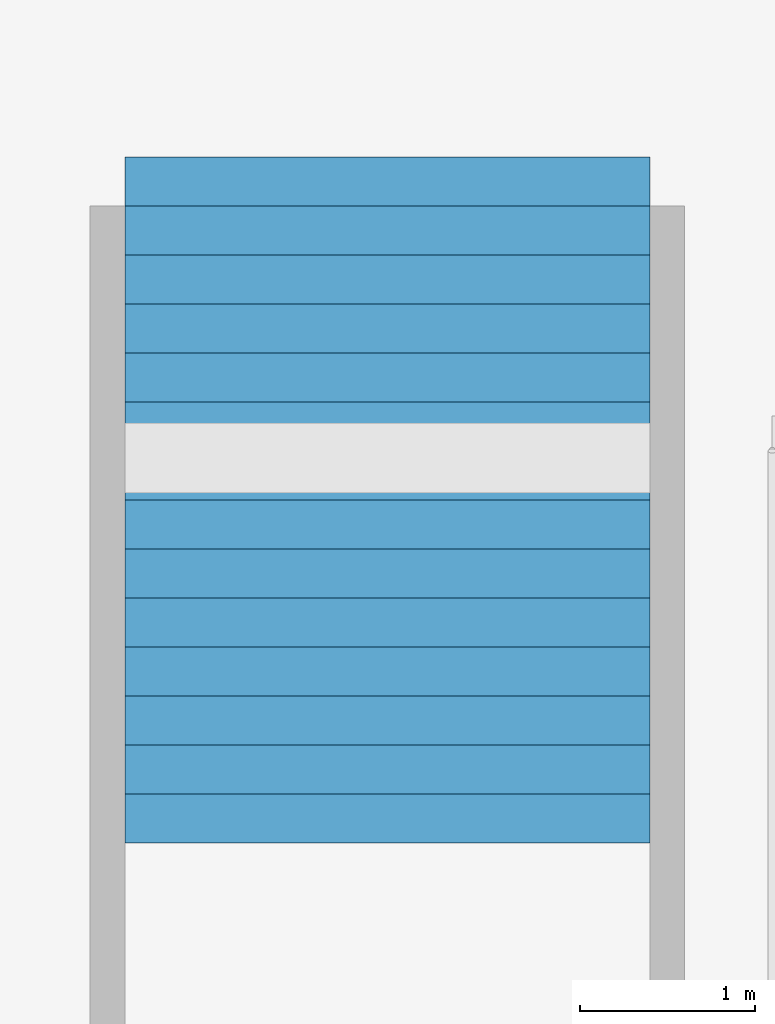
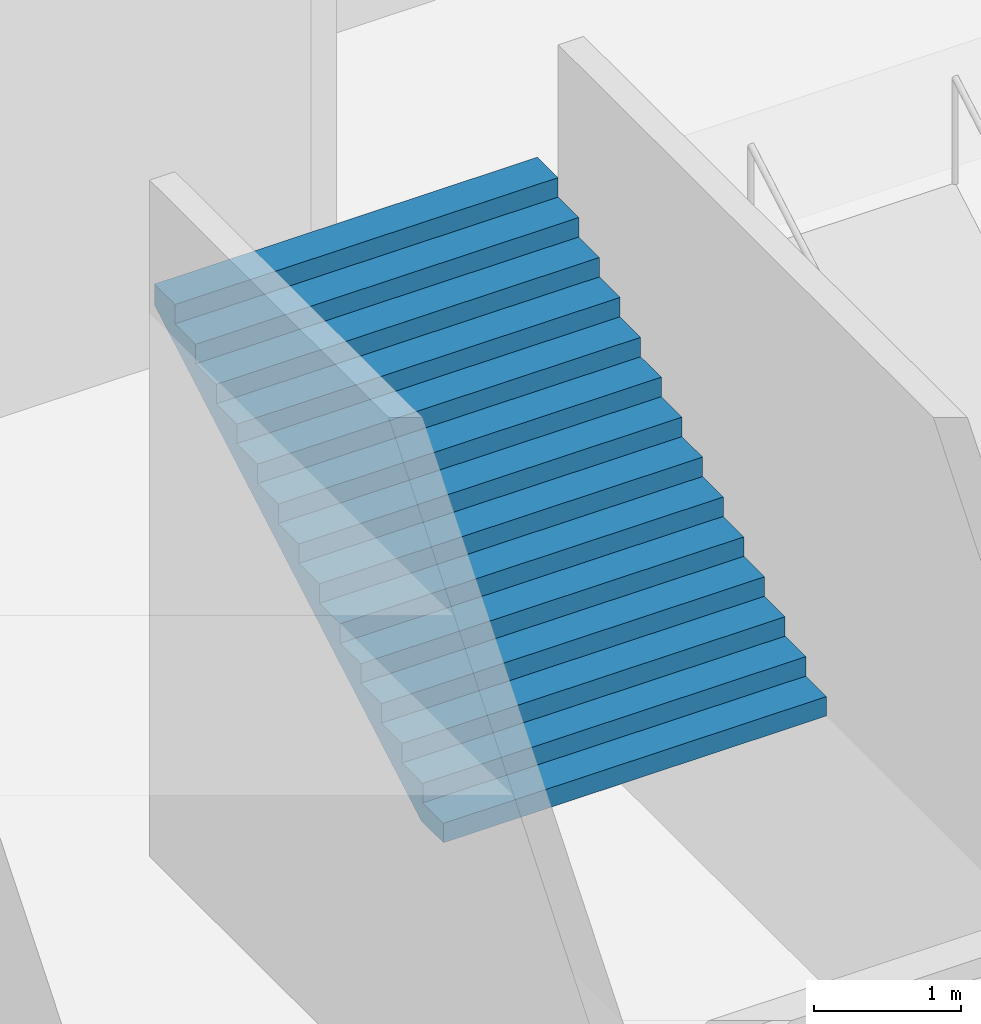
# One storey, part 87 of 115: 1 stair flight, 1 element without a shape of its own.
"""IFC4 building model written with IfcOpenShell, lengths in metres."""

from ifc_helpers import new_model, si_unit, direction, frame, origin, place, context, subcontext, project, spatial, faceted_brep, material, type_object, element, aggregate, save


model = new_model("IFC4")

# Units and contexts
model_context = context("Model", 3, precision=1e-05, world=origin(), true_north=direction((0.0, 1.0)))
body_context = subcontext(model_context, "Body", "Model", "MODEL_VIEW")
ifc_project = project(units=[si_unit("LENGTHUNIT", "METRE"), si_unit("AREAUNIT", "SQUARE_METRE"), si_unit("VOLUMEUNIT", "CUBIC_METRE"), si_unit("PLANEANGLEUNIT", "RADIAN"), si_unit("MASSUNIT", "GRAM", prefix="KILO")], contexts=[model_context])

# Site, building, storey
site_placement = place(None, origin())
site = spatial("IfcSite", under=ifc_project, at=site_placement, CompositionType="ELEMENT")
building_placement = place(site_placement, origin())
building = spatial("IfcBuilding", under=site, at=building_placement, Name="Ogive Plaza Stadium", CompositionType="ELEMENT")
storey_placement = place(building_placement, frame((0.0, 0.0, -4.5)))
storey = spatial("IfcBuildingStorey", under=building, at=storey_placement, Name="B1", CompositionType="ELEMENT", Elevation=-4.5)

# Stair, stair flight
ifc_material_1 = material(Name="Concrete C40/50", Category="concrete")
stair_type = type_object("IfcStairType", Name="Station stair 3000", PredefinedType="TWO_STRAIGHT_RUN_STAIR", material=ifc_material_1)
stair_placement = place(storey_placement, origin())
stair = element("IfcStair", 1, at=stair_placement, inside=storey, type_object=stair_type, Name="Stair QS3", PredefinedType="TWO_STRAIGHT_RUN_STAIR")
ifc_material_2 = material(Name="Concrete C40/50", Category="concrete")
stair_flight_type = type_object("IfcStairFlightType", Name="Station stair flight 3000", PredefinedType="STRAIGHT", material=ifc_material_2)
stair_flight_placement = place(storey_placement, frame((100.699951171875, 13.360107421875, 2.25), z_axis=(0.0, 0.0, 1.0), x_axis=(0.0, 1.0, 0.0)))
stair_flight = element("IfcStairFlight", 2, at=stair_flight_placement, type_object=stair_flight_type, Name="QS3 flight 2", NumberOfRisers=14, NumberOfTreads=13, PredefinedType="STRAIGHT", RiserHeight=0.160714286, TreadLength=0.28, context=body_context, shape_type="Brep", body=[
    faceted_brep([(0.301025390625, -1.5, 0.0), (3.919921875, -1.5, 2.0771484375), (3.919921875, -1.5, 2.25), (3.639892578125, -1.5, 2.25), (3.639892578125, -1.5, 2.08935546875), (3.360107421875, -1.5, 2.08935546875), (3.360107421875, -1.5, 1.928466796875), (3.080078125, -1.5, 1.928466796875), (3.080078125, -1.5, 1.767822265625), (2.800048828125, -1.5, 1.767822265625), (2.800048828125, -1.5, 1.607177734375), (2.52001953125, -1.5, 1.607177734375), (2.52001953125, -1.5, 1.446533203125), (2.239990234375, -1.5, 1.446533203125), (2.239990234375, -1.5, 1.28564453125), (1.9599609375, -1.5, 1.28564453125), (1.9599609375, -1.5, 1.125), (1.679931640625, -1.5, 1.125), (1.679931640625, -1.5, 0.96435546875), (1.39990234375, -1.5, 0.96435546875), (1.39990234375, -1.5, 0.803466796875), (1.1201171875, -1.5, 0.803466796875), (1.1201171875, -1.5, 0.642822265625), (0.840087890625, -1.5, 0.642822265625), (0.840087890625, -1.5, 0.482177734375), (0.56005859375, -1.5, 0.482177734375), (0.56005859375, -1.5, 0.321533203125), (0.280029296875, -1.5, 0.321533203125), (0.280029296875, -1.5, 0.16064453125), (0.0, -1.5, 0.16064453125), (0.0, -1.5, 0.0), (0.0, 1.5, 0.0), (0.0, 1.5, 0.16064453125), (0.280029296875, 1.5, 0.16064453125), (0.280029296875, 1.5, 0.321533203125), (0.56005859375, 1.5, 0.321533203125), (0.56005859375, 1.5, 0.482177734375), (0.840087890625, 1.5, 0.482177734375), (0.840087890625, 1.5, 0.642822265625), (1.1201171875, 1.5, 0.642822265625), (1.1201171875, 1.5, 0.803466796875), (1.39990234375, 1.5, 0.803466796875), (1.39990234375, 1.5, 0.96435546875), (1.679931640625, 1.5, 0.96435546875), (1.679931640625, 1.5, 1.125), (1.9599609375, 1.5, 1.125), (1.9599609375, 1.5, 1.28564453125), (2.239990234375, 1.5, 1.28564453125), (2.239990234375, 1.5, 1.446533203125), (2.52001953125, 1.5, 1.446533203125), (2.52001953125, 1.5, 1.607177734375), (2.800048828125, 1.5, 1.607177734375), (2.800048828125, 1.5, 1.767822265625), (3.080078125, 1.5, 1.767822265625), (3.080078125, 1.5, 1.928466796875), (3.360107421875, 1.5, 1.928466796875), (3.360107421875, 1.5, 2.08935546875), (3.639892578125, 1.5, 2.08935546875), (3.639892578125, 1.5, 2.25), (3.919921875, 1.5, 2.25), (3.919921875, 1.5, 2.0771484375), (0.301025390625, 1.5, 0.0), (0.301025390625, -1.166748046875, 0.0), (3.919921875, -1.166748046875, 2.0771484375), (0.301025390625, -0.833251953125, 0.0), (3.919921875, -0.833251953125, 2.0771484375), (0.301025390625, -0.5, 0.0), (3.919921875, -0.5, 2.0771484375), (0.301025390625, -0.166748046875, 0.0), (3.919921875, -0.166748046875, 2.0771484375), (0.301025390625, 0.166748046875, 0.0), (3.919921875, 0.166748046875, 2.0771484375), (0.301025390625, 0.5, 0.0), (3.919921875, 0.5, 2.0771484375), (0.301025390625, 0.833251953125, 0.0), (3.919921875, 0.833251953125, 2.0771484375), (0.301025390625, 1.166748046875, 0.0), (3.919921875, 1.166748046875, 2.0771484375), (3.919921875, -1.166748046875, 2.25), (3.919921875, -0.833251953125, 2.25), (3.919921875, -0.5, 2.25), (3.919921875, -0.166748046875, 2.25), (3.919921875, 0.166748046875, 2.25), (3.919921875, 0.5, 2.25), (3.919921875, 0.833251953125, 2.25), (3.919921875, 1.166748046875, 2.25), (3.639892578125, -1.166748046875, 2.25), (3.639892578125, -0.833251953125, 2.25), (3.639892578125, -0.5, 2.25), (3.639892578125, -0.166748046875, 2.25), (3.639892578125, 0.166748046875, 2.25), (3.639892578125, 0.5, 2.25), (3.639892578125, 0.833251953125, 2.25), (3.639892578125, 1.166748046875, 2.25), (3.639892578125, -1.166748046875, 2.08935546875), (3.639892578125, -0.833251953125, 2.08935546875), (3.639892578125, -0.5, 2.08935546875), (3.639892578125, -0.166748046875, 2.08935546875), (3.639892578125, 0.166748046875, 2.08935546875), (3.639892578125, 0.5, 2.08935546875), (3.639892578125, 0.833251953125, 2.08935546875), (3.639892578125, 1.166748046875, 2.08935546875), (3.360107421875, -1.166748046875, 2.08935546875), (3.360107421875, -0.833251953125, 2.08935546875), (3.360107421875, -0.5, 2.08935546875), (3.360107421875, -0.166748046875, 2.08935546875), (3.360107421875, 0.166748046875, 2.08935546875), (3.360107421875, 0.5, 2.08935546875), (3.360107421875, 0.833251953125, 2.08935546875), (3.360107421875, 1.166748046875, 2.08935546875), (3.360107421875, -1.166748046875, 1.928466796875), (3.360107421875, -0.833251953125, 1.928466796875), (3.360107421875, -0.5, 1.928466796875), (3.360107421875, -0.166748046875, 1.928466796875), (3.360107421875, 0.166748046875, 1.928466796875), (3.360107421875, 0.5, 1.928466796875), (3.360107421875, 0.833251953125, 1.928466796875), (3.360107421875, 1.166748046875, 1.928466796875), (3.080078125, -1.166748046875, 1.928466796875), (3.080078125, -0.833251953125, 1.928466796875), (3.080078125, -0.5, 1.928466796875), (3.080078125, -0.166748046875, 1.928466796875), (3.080078125, 0.166748046875, 1.928466796875), (3.080078125, 0.5, 1.928466796875), (3.080078125, 0.833251953125, 1.928466796875), (3.080078125, 1.166748046875, 1.928466796875), (3.080078125, -1.166748046875, 1.767822265625), (3.080078125, -0.833251953125, 1.767822265625), (3.080078125, -0.5, 1.767822265625), (3.080078125, -0.166748046875, 1.767822265625), (3.080078125, 0.166748046875, 1.767822265625), (3.080078125, 0.5, 1.767822265625), (3.080078125, 0.833251953125, 1.767822265625), (3.080078125, 1.166748046875, 1.767822265625), (2.800048828125, -1.166748046875, 1.767822265625), (2.800048828125, -0.833251953125, 1.767822265625), (2.800048828125, -0.5, 1.767822265625), (2.800048828125, -0.166748046875, 1.767822265625), (2.800048828125, 0.166748046875, 1.767822265625), (2.800048828125, 0.5, 1.767822265625), (2.800048828125, 0.833251953125, 1.767822265625), (2.800048828125, 1.166748046875, 1.767822265625), (2.800048828125, -1.166748046875, 1.607177734375), (2.800048828125, -0.833251953125, 1.607177734375), (2.800048828125, -0.5, 1.607177734375), (2.800048828125, -0.166748046875, 1.607177734375), (2.800048828125, 0.166748046875, 1.607177734375), (2.800048828125, 0.5, 1.607177734375), (2.800048828125, 0.833251953125, 1.607177734375), (2.800048828125, 1.166748046875, 1.607177734375), (2.52001953125, -1.166748046875, 1.607177734375), (2.52001953125, -0.833251953125, 1.607177734375), (2.52001953125, -0.5, 1.607177734375), (2.52001953125, -0.166748046875, 1.607177734375), (2.52001953125, 0.166748046875, 1.607177734375), (2.52001953125, 0.5, 1.607177734375), (2.52001953125, 0.833251953125, 1.607177734375), (2.52001953125, 1.166748046875, 1.607177734375), (2.52001953125, -1.166748046875, 1.446533203125), (2.52001953125, -0.833251953125, 1.446533203125), (2.52001953125, -0.5, 1.446533203125), (2.52001953125, -0.166748046875, 1.446533203125), (2.52001953125, 0.166748046875, 1.446533203125), (2.52001953125, 0.5, 1.446533203125), (2.52001953125, 0.833251953125, 1.446533203125), (2.52001953125, 1.166748046875, 1.446533203125), (2.239990234375, -1.166748046875, 1.446533203125), (2.239990234375, -0.833251953125, 1.446533203125), (2.239990234375, -0.5, 1.446533203125), (2.239990234375, -0.166748046875, 1.446533203125), (2.239990234375, 0.166748046875, 1.446533203125), (2.239990234375, 0.5, 1.446533203125), (2.239990234375, 0.833251953125, 1.446533203125), (2.239990234375, 1.166748046875, 1.446533203125), (2.239990234375, -1.166748046875, 1.28564453125), (2.239990234375, -0.833251953125, 1.28564453125), (2.239990234375, -0.5, 1.28564453125), (2.239990234375, -0.166748046875, 1.28564453125), (2.239990234375, 0.166748046875, 1.28564453125), (2.239990234375, 0.5, 1.28564453125), (2.239990234375, 0.833251953125, 1.28564453125), (2.239990234375, 1.166748046875, 1.28564453125), (1.9599609375, -1.166748046875, 1.28564453125), (1.9599609375, -0.833251953125, 1.28564453125), (1.9599609375, -0.5, 1.28564453125), (1.9599609375, -0.166748046875, 1.28564453125), (1.9599609375, 0.166748046875, 1.28564453125), (1.9599609375, 0.5, 1.28564453125), (1.9599609375, 0.833251953125, 1.28564453125), (1.9599609375, 1.166748046875, 1.28564453125), (1.9599609375, -1.166748046875, 1.125), (1.9599609375, -0.833251953125, 1.125), (1.9599609375, -0.5, 1.125), (1.9599609375, -0.166748046875, 1.125), (1.9599609375, 0.166748046875, 1.125), (1.9599609375, 0.5, 1.125), (1.9599609375, 0.833251953125, 1.125), (1.9599609375, 1.166748046875, 1.125), (1.679931640625, -1.166748046875, 1.125), (1.679931640625, -0.833251953125, 1.125), (1.679931640625, -0.5, 1.125), (1.679931640625, -0.166748046875, 1.125), (1.679931640625, 0.166748046875, 1.125), (1.679931640625, 0.5, 1.125), (1.679931640625, 0.833251953125, 1.125), (1.679931640625, 1.166748046875, 1.125), (1.679931640625, -1.166748046875, 0.96435546875), (1.679931640625, -0.833251953125, 0.96435546875), (1.679931640625, -0.5, 0.96435546875), (1.679931640625, -0.166748046875, 0.96435546875), (1.679931640625, 0.166748046875, 0.96435546875), (1.679931640625, 0.5, 0.96435546875), (1.679931640625, 0.833251953125, 0.96435546875), (1.679931640625, 1.166748046875, 0.96435546875), (1.39990234375, -1.166748046875, 0.96435546875), (1.39990234375, -0.833251953125, 0.96435546875), (1.39990234375, -0.5, 0.96435546875), (1.39990234375, -0.166748046875, 0.96435546875), (1.39990234375, 0.166748046875, 0.96435546875), (1.39990234375, 0.5, 0.96435546875), (1.39990234375, 0.833251953125, 0.96435546875), (1.39990234375, 1.166748046875, 0.96435546875), (1.39990234375, -1.166748046875, 0.803466796875), (1.39990234375, -0.833251953125, 0.803466796875), (1.39990234375, -0.5, 0.803466796875), (1.39990234375, -0.166748046875, 0.803466796875), (1.39990234375, 0.166748046875, 0.803466796875), (1.39990234375, 0.5, 0.803466796875), (1.39990234375, 0.833251953125, 0.803466796875), (1.39990234375, 1.166748046875, 0.803466796875), (1.1201171875, -1.166748046875, 0.803466796875), (1.1201171875, -0.833251953125, 0.803466796875), (1.1201171875, -0.5, 0.803466796875), (1.1201171875, -0.166748046875, 0.803466796875), (1.1201171875, 0.166748046875, 0.803466796875), (1.1201171875, 0.5, 0.803466796875), (1.1201171875, 0.833251953125, 0.803466796875), (1.1201171875, 1.166748046875, 0.803466796875), (1.1201171875, -1.166748046875, 0.642822265625), (1.1201171875, -0.833251953125, 0.642822265625), (1.1201171875, -0.5, 0.642822265625), (1.1201171875, -0.166748046875, 0.642822265625), (1.1201171875, 0.166748046875, 0.642822265625), (1.1201171875, 0.5, 0.642822265625), (1.1201171875, 0.833251953125, 0.642822265625), (1.1201171875, 1.166748046875, 0.642822265625), (0.840087890625, -1.166748046875, 0.642822265625), (0.840087890625, -0.833251953125, 0.642822265625), (0.840087890625, -0.5, 0.642822265625), (0.840087890625, -0.166748046875, 0.642822265625), (0.840087890625, 0.166748046875, 0.642822265625), (0.840087890625, 0.5, 0.642822265625), (0.840087890625, 0.833251953125, 0.642822265625), (0.840087890625, 1.166748046875, 0.642822265625), (0.840087890625, -1.166748046875, 0.482177734375), (0.840087890625, -0.833251953125, 0.482177734375), (0.840087890625, -0.5, 0.482177734375), (0.840087890625, -0.166748046875, 0.482177734375), (0.840087890625, 0.166748046875, 0.482177734375), (0.840087890625, 0.5, 0.482177734375), (0.840087890625, 0.833251953125, 0.482177734375), (0.840087890625, 1.166748046875, 0.482177734375), (0.56005859375, -1.166748046875, 0.482177734375), (0.56005859375, -0.833251953125, 0.482177734375), (0.56005859375, -0.5, 0.482177734375), (0.56005859375, -0.166748046875, 0.482177734375), (0.56005859375, 0.166748046875, 0.482177734375), (0.56005859375, 0.5, 0.482177734375), (0.56005859375, 0.833251953125, 0.482177734375), (0.56005859375, 1.166748046875, 0.482177734375), (0.56005859375, -1.166748046875, 0.321533203125), (0.56005859375, -0.833251953125, 0.321533203125), (0.56005859375, -0.5, 0.321533203125), (0.56005859375, -0.166748046875, 0.321533203125), (0.56005859375, 0.166748046875, 0.321533203125), (0.56005859375, 0.5, 0.321533203125), (0.56005859375, 0.833251953125, 0.321533203125), (0.56005859375, 1.166748046875, 0.321533203125), (0.280029296875, -1.166748046875, 0.321533203125), (0.280029296875, -0.833251953125, 0.321533203125), (0.280029296875, -0.5, 0.321533203125), (0.280029296875, -0.166748046875, 0.321533203125), (0.280029296875, 0.166748046875, 0.321533203125), (0.280029296875, 0.5, 0.321533203125), (0.280029296875, 0.833251953125, 0.321533203125), (0.280029296875, 1.166748046875, 0.321533203125), (0.280029296875, -1.166748046875, 0.16064453125), (0.280029296875, -0.833251953125, 0.16064453125), (0.280029296875, -0.5, 0.16064453125), (0.280029296875, -0.166748046875, 0.16064453125), (0.280029296875, 0.166748046875, 0.16064453125), (0.280029296875, 0.5, 0.16064453125), (0.280029296875, 0.833251953125, 0.16064453125), (0.280029296875, 1.166748046875, 0.16064453125), (0.0, -1.166748046875, 0.16064453125), (0.0, -0.833251953125, 0.16064453125), (0.0, -0.5, 0.16064453125), (0.0, -0.166748046875, 0.16064453125), (0.0, 0.166748046875, 0.16064453125), (0.0, 0.5, 0.16064453125), (0.0, 0.833251953125, 0.16064453125), (0.0, 1.166748046875, 0.16064453125), (0.0, -1.166748046875, 0.0), (0.0, -0.833251953125, 0.0), (0.0, -0.5, 0.0), (0.0, -0.166748046875, 0.0), (0.0, 0.166748046875, 0.0), (0.0, 0.5, 0.0), (0.0, 0.833251953125, 0.0), (0.0, 1.166748046875, 0.0)], [[[0, 1, 2, 3, 4, 5, 6, 7, 8, 9, 10, 11, 12, 13, 14, 15, 16, 17, 18, 19, 20, 21, 22, 23, 24, 25, 26, 27, 28, 29, 30]], [[31, 32, 33, 34, 35, 36, 37, 38, 39, 40, 41, 42, 43, 44, 45, 46, 47, 48, 49, 50, 51, 52, 53, 54, 55, 56, 57, 58, 59, 60, 61]], [[0, 62, 63, 1]], [[62, 64, 65, 63]], [[64, 66, 67, 65]], [[66, 68, 69, 67]], [[68, 70, 71, 69]], [[70, 72, 73, 71]], [[72, 74, 75, 73]], [[74, 76, 77, 75]], [[76, 61, 60, 77]], [[1, 63, 78, 2]], [[63, 65, 79, 78]], [[65, 67, 80, 79]], [[67, 69, 81, 80]], [[69, 71, 82, 81]], [[71, 73, 83, 82]], [[73, 75, 84, 83]], [[75, 77, 85, 84]], [[77, 60, 59, 85]], [[2, 78, 86, 3]], [[78, 79, 87, 86]], [[79, 80, 88, 87]], [[80, 81, 89, 88]], [[81, 82, 90, 89]], [[82, 83, 91, 90]], [[83, 84, 92, 91]], [[84, 85, 93, 92]], [[85, 59, 58, 93]], [[3, 86, 94, 4]], [[86, 87, 95, 94]], [[87, 88, 96, 95]], [[88, 89, 97, 96]], [[89, 90, 98, 97]], [[90, 91, 99, 98]], [[91, 92, 100, 99]], [[92, 93, 101, 100]], [[93, 58, 57, 101]], [[4, 94, 102, 5]], [[94, 95, 103, 102]], [[95, 96, 104, 103]], [[96, 97, 105, 104]], [[97, 98, 106, 105]], [[98, 99, 107, 106]], [[99, 100, 108, 107]], [[100, 101, 109, 108]], [[101, 57, 56, 109]], [[5, 102, 110, 6]], [[102, 103, 111, 110]], [[103, 104, 112, 111]], [[104, 105, 113, 112]], [[105, 106, 114, 113]], [[106, 107, 115, 114]], [[107, 108, 116, 115]], [[108, 109, 117, 116]], [[109, 56, 55, 117]], [[6, 110, 118, 7]], [[110, 111, 119, 118]], [[111, 112, 120, 119]], [[112, 113, 121, 120]], [[113, 114, 122, 121]], [[114, 115, 123, 122]], [[115, 116, 124, 123]], [[116, 117, 125, 124]], [[117, 55, 54, 125]], [[7, 118, 126, 8]], [[118, 119, 127, 126]], [[119, 120, 128, 127]], [[120, 121, 129, 128]], [[121, 122, 130, 129]], [[122, 123, 131, 130]], [[123, 124, 132, 131]], [[124, 125, 133, 132]], [[125, 54, 53, 133]], [[8, 126, 134, 9]], [[126, 127, 135, 134]], [[127, 128, 136, 135]], [[128, 129, 137, 136]], [[129, 130, 138, 137]], [[130, 131, 139, 138]], [[131, 132, 140, 139]], [[132, 133, 141, 140]], [[133, 53, 52, 141]], [[9, 134, 142, 10]], [[134, 135, 143, 142]], [[135, 136, 144, 143]], [[136, 137, 145, 144]], [[137, 138, 146, 145]], [[138, 139, 147, 146]], [[139, 140, 148, 147]], [[140, 141, 149, 148]], [[141, 52, 51, 149]], [[10, 142, 150, 11]], [[142, 143, 151, 150]], [[143, 144, 152, 151]], [[144, 145, 153, 152]], [[145, 146, 154, 153]], [[146, 147, 155, 154]], [[147, 148, 156, 155]], [[148, 149, 157, 156]], [[149, 51, 50, 157]], [[11, 150, 158, 12]], [[150, 151, 159, 158]], [[151, 152, 160, 159]], [[152, 153, 161, 160]], [[153, 154, 162, 161]], [[154, 155, 163, 162]], [[155, 156, 164, 163]], [[156, 157, 165, 164]], [[157, 50, 49, 165]], [[12, 158, 166, 13]], [[158, 159, 167, 166]], [[159, 160, 168, 167]], [[160, 161, 169, 168]], [[161, 162, 170, 169]], [[162, 163, 171, 170]], [[163, 164, 172, 171]], [[164, 165, 173, 172]], [[165, 49, 48, 173]], [[13, 166, 174, 14]], [[166, 167, 175, 174]], [[167, 168, 176, 175]], [[168, 169, 177, 176]], [[169, 170, 178, 177]], [[170, 171, 179, 178]], [[171, 172, 180, 179]], [[172, 173, 181, 180]], [[173, 48, 47, 181]], [[14, 174, 182, 15]], [[174, 175, 183, 182]], [[175, 176, 184, 183]], [[176, 177, 185, 184]], [[177, 178, 186, 185]], [[178, 179, 187, 186]], [[179, 180, 188, 187]], [[180, 181, 189, 188]], [[181, 47, 46, 189]], [[15, 182, 190, 16]], [[182, 183, 191, 190]], [[183, 184, 192, 191]], [[184, 185, 193, 192]], [[185, 186, 194, 193]], [[186, 187, 195, 194]], [[187, 188, 196, 195]], [[188, 189, 197, 196]], [[189, 46, 45, 197]], [[16, 190, 198, 17]], [[190, 191, 199, 198]], [[191, 192, 200, 199]], [[192, 193, 201, 200]], [[193, 194, 202, 201]], [[194, 195, 203, 202]], [[195, 196, 204, 203]], [[196, 197, 205, 204]], [[197, 45, 44, 205]], [[17, 198, 206, 18]], [[198, 199, 207, 206]], [[199, 200, 208, 207]], [[200, 201, 209, 208]], [[201, 202, 210, 209]], [[202, 203, 211, 210]], [[203, 204, 212, 211]], [[204, 205, 213, 212]], [[205, 44, 43, 213]], [[18, 206, 214, 19]], [[206, 207, 215, 214]], [[207, 208, 216, 215]], [[208, 209, 217, 216]], [[209, 210, 218, 217]], [[210, 211, 219, 218]], [[211, 212, 220, 219]], [[212, 213, 221, 220]], [[213, 43, 42, 221]], [[19, 214, 222, 20]], [[214, 215, 223, 222]], [[215, 216, 224, 223]], [[216, 217, 225, 224]], [[217, 218, 226, 225]], [[218, 219, 227, 226]], [[219, 220, 228, 227]], [[220, 221, 229, 228]], [[221, 42, 41, 229]], [[20, 222, 230, 21]], [[222, 223, 231, 230]], [[223, 224, 232, 231]], [[224, 225, 233, 232]], [[225, 226, 234, 233]], [[226, 227, 235, 234]], [[227, 228, 236, 235]], [[228, 229, 237, 236]], [[229, 41, 40, 237]], [[21, 230, 238, 22]], [[230, 231, 239, 238]], [[231, 232, 240, 239]], [[232, 233, 241, 240]], [[233, 234, 242, 241]], [[234, 235, 243, 242]], [[235, 236, 244, 243]], [[236, 237, 245, 244]], [[237, 40, 39, 245]], [[22, 238, 246, 23]], [[238, 239, 247, 246]], [[239, 240, 248, 247]], [[240, 241, 249, 248]], [[241, 242, 250, 249]], [[242, 243, 251, 250]], [[243, 244, 252, 251]], [[244, 245, 253, 252]], [[245, 39, 38, 253]], [[23, 246, 254, 24]], [[246, 247, 255, 254]], [[247, 248, 256, 255]], [[248, 249, 257, 256]], [[249, 250, 258, 257]], [[250, 251, 259, 258]], [[251, 252, 260, 259]], [[252, 253, 261, 260]], [[253, 38, 37, 261]], [[24, 254, 262, 25]], [[254, 255, 263, 262]], [[255, 256, 264, 263]], [[256, 257, 265, 264]], [[257, 258, 266, 265]], [[258, 259, 267, 266]], [[259, 260, 268, 267]], [[260, 261, 269, 268]], [[261, 37, 36, 269]], [[25, 262, 270, 26]], [[262, 263, 271, 270]], [[263, 264, 272, 271]], [[264, 265, 273, 272]], [[265, 266, 274, 273]], [[266, 267, 275, 274]], [[267, 268, 276, 275]], [[268, 269, 277, 276]], [[269, 36, 35, 277]], [[26, 270, 278, 27]], [[270, 271, 279, 278]], [[271, 272, 280, 279]], [[272, 273, 281, 280]], [[273, 274, 282, 281]], [[274, 275, 283, 282]], [[275, 276, 284, 283]], [[276, 277, 285, 284]], [[277, 35, 34, 285]], [[27, 278, 286, 28]], [[278, 279, 287, 286]], [[279, 280, 288, 287]], [[280, 281, 289, 288]], [[281, 282, 290, 289]], [[282, 283, 291, 290]], [[283, 284, 292, 291]], [[284, 285, 293, 292]], [[285, 34, 33, 293]], [[28, 286, 294, 29]], [[286, 287, 295, 294]], [[287, 288, 296, 295]], [[288, 289, 297, 296]], [[289, 290, 298, 297]], [[290, 291, 299, 298]], [[291, 292, 300, 299]], [[292, 293, 301, 300]], [[293, 33, 32, 301]], [[29, 294, 302, 30]], [[294, 295, 303, 302]], [[295, 296, 304, 303]], [[296, 297, 305, 304]], [[297, 298, 306, 305]], [[298, 299, 307, 306]], [[299, 300, 308, 307]], [[300, 301, 309, 308]], [[301, 32, 31, 309]], [[30, 302, 62, 0]], [[302, 303, 64, 62]], [[303, 304, 66, 64]], [[304, 305, 68, 66]], [[305, 306, 70, 68]], [[306, 307, 72, 70]], [[307, 308, 74, 72]], [[308, 309, 76, 74]], [[309, 31, 61, 76]]]),
])
aggregate(stair, [stair_flight])

save(model, "model.ifc")
